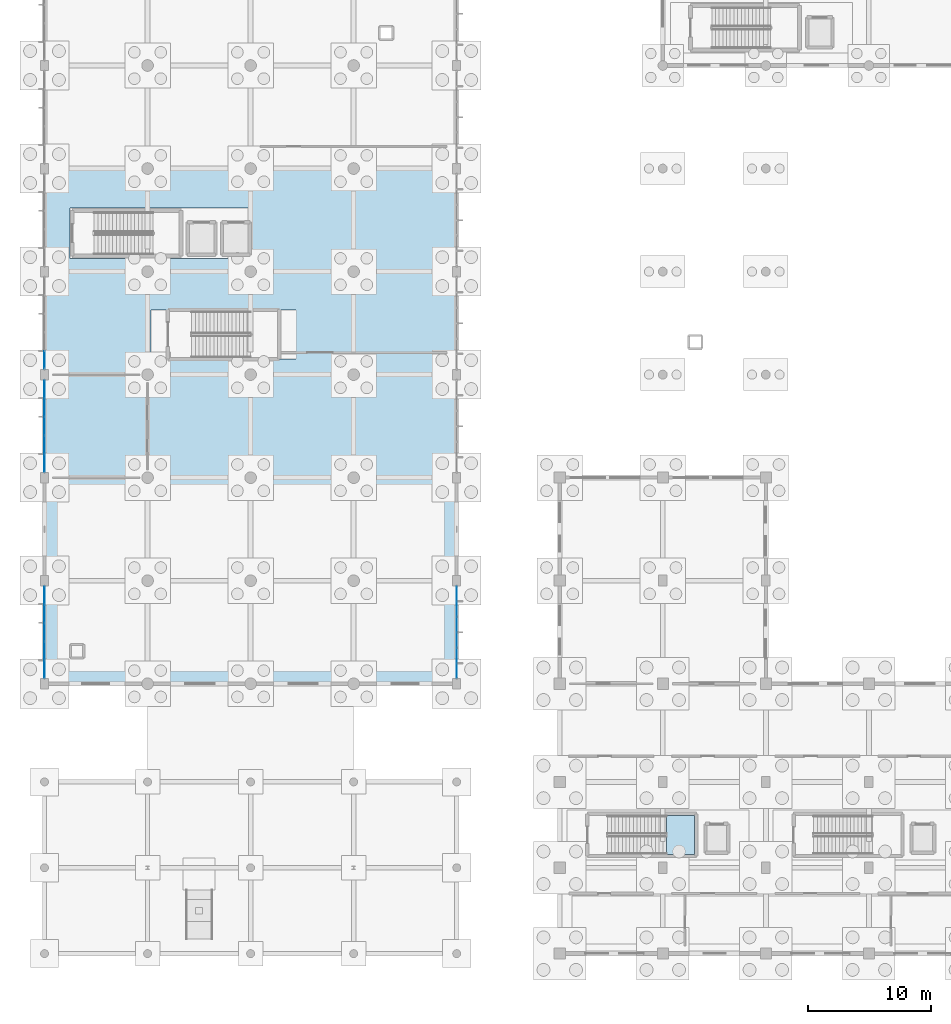
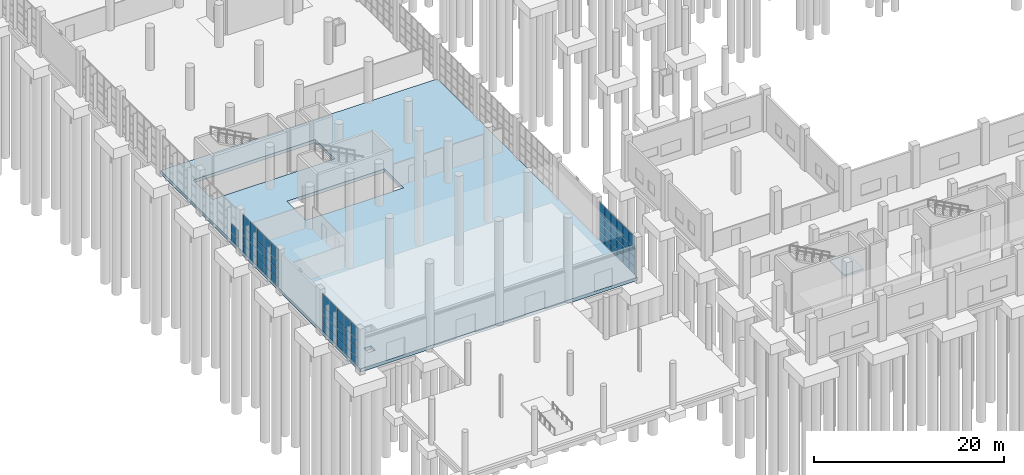
# One storey, part 38 of 83: 66 plates, 2 slabs, 5 elements without a shape of their own.
"""IFC4 building model written with IfcOpenShell, lengths in metres."""

from ifc_helpers import new_model, si_unit, direction, frame, origin, origin_2d, place, context, subcontext, project, spatial, polyline, rectangle, outline, extrude, material, layer, layer_set, type_object, element, aggregate, save


model = new_model("IFC4")

# Units and contexts
model_context = context("Model", 3, precision=1e-05, world=origin(), true_north=direction((0.0, 1.0)))
body_context = subcontext(model_context, "Body", "Model", "MODEL_VIEW")
ifc_project = project(units=[si_unit("LENGTHUNIT", "METRE"), si_unit("AREAUNIT", "SQUARE_METRE"), si_unit("VOLUMEUNIT", "CUBIC_METRE"), si_unit("PLANEANGLEUNIT", "RADIAN"), si_unit("MASSUNIT", "GRAM", prefix="KILO"), si_unit("THERMODYNAMICTEMPERATUREUNIT", "KELVIN"), si_unit("POWERUNIT", "WATT")], contexts=[model_context])

# Site, building, storey
site_placement = place(None, origin())
site = spatial("IfcSite", under=ifc_project, at=site_placement, CompositionType="ELEMENT")
building_placement = place(site_placement, origin())
building = spatial("IfcBuilding", under=site, at=building_placement, Name="Mavoryth Pier Ferry Terminal", CompositionType="ELEMENT")
storey_placement = place(building_placement, origin())
storey = spatial("IfcBuildingStorey", under=building, at=storey_placement, Name="L00", CompositionType="ELEMENT", Elevation=0.0)

# Curtain wall, plates
ifc_material_1 = material(Name="Anodised Aluminium and Solar-Control Low-E Glass", Category="aluminium")
ifc_layer_1 = layer(ifc_material_1, 0.179931640625, Name="Anodised Aluminium and Solar-Control Low-E Glass", Category="aluminium")
ifc_layer_set_1 = layer_set([ifc_layer_1], Name="Anodised Aluminium and Solar-Control Low-E Glass - CW-Concourse-Mod1400")
curtain_wall_type_1 = type_object("IfcCurtainWallType", Name="CW-Concourse-Mod1400", PredefinedType="USERDEFINED", material=ifc_layer_set_1)
curtain_wall_1_placement = place(storey_placement, origin())
curtain_wall_1 = element("IfcCurtainWall", 1, at=curtain_wall_1_placement, inside=storey, type_object=curtain_wall_type_1, Name="Curtain Wall CW-0033-001", ObjectType="UNITISED CURTAIN WALL", PredefinedType="USERDEFINED")
ifc_material_2 = material(Name="Solar-Control Low-E Laminated Double Glazing", Category="glass")
ifc_layer_2 = layer(ifc_material_2, 0.02392578125, Name="Solar-Control Low-E Laminated Double Glazing", Category="glass")
ifc_layer_set_2 = layer_set([ifc_layer_2], Name="Solar-Control Low-E Laminated Double Glazing - Panel-LowE-DGU-24")
plate_type = type_object("IfcPlateType", Name="Panel-LowE-DGU-24", PredefinedType="CURTAIN_PANEL", material=ifc_layer_set_2)
plate_1_placement = place(storey_placement, frame((0.0, 29.203857421875, 0.06494140625), z_axis=(0.0, 0.0, 1.0), x_axis=(0.0, -1.0, 0.0)))
plate_1 = element("IfcPlate", 2, at=plate_1_placement, type_object=plate_type, Name="CW01 panel 1.1", PredefinedType="CURTAIN_PANEL", context=body_context, shape_type="SweptSolid", body=[
    extrude(rectangle(XDim=1.41259765625, YDim=0.02392578125, at=origin_2d()), origin(), (0.0, 0.0, 1.0), 0.952392578125),
])
plate_2_placement = place(storey_placement, frame((0.0, 29.203857421875, 1.08251953125), z_axis=(0.0, 0.0, 1.0), x_axis=(0.0, -1.0, 0.0)))
plate_2 = element("IfcPlate", 3, at=plate_2_placement, type_object=plate_type, Name="CW01 panel 1.2", PredefinedType="CURTAIN_PANEL", context=body_context, shape_type="SweptSolid", body=[
    extrude(rectangle(XDim=1.41259765625, YDim=0.02392578125, at=origin_2d()), origin(), (0.0, 0.0, 1.0), 1.135009765625),
])
plate_3_placement = place(storey_placement, frame((0.0, 29.203857421875, 2.2822265625), z_axis=(0.0, 0.0, 1.0), x_axis=(0.0, -1.0, 0.0)))
plate_3 = element("IfcPlate", 4, at=plate_3_placement, type_object=plate_type, Name="CW01 panel 1.3", PredefinedType="CURTAIN_PANEL", context=body_context, shape_type="SweptSolid", body=[
    extrude(rectangle(XDim=1.41259765625, YDim=0.02392578125, at=origin_2d()), origin(), (0.0, 0.0, 1.0), 0.985107421875),
])
plate_4_placement = place(storey_placement, frame((0.0, 29.203857421875, 3.33251953125), z_axis=(0.0, 0.0, 1.0), x_axis=(0.0, -1.0, 0.0)))
plate_4 = element("IfcPlate", 5, at=plate_4_placement, type_object=plate_type, Name="CW01 panel 1.4", PredefinedType="CURTAIN_PANEL", context=body_context, shape_type="SweptSolid", body=[
    extrude(rectangle(XDim=1.41259765625, YDim=0.02392578125, at=origin_2d()), origin(), (0.0, 0.0, 1.0), 1.54248046875),
])
plate_5_placement = place(storey_placement, frame((0.0, 27.7099609375, 0.06494140625), z_axis=(0.0, 0.0, 1.0), x_axis=(0.0, -1.0, 0.0)))
plate_5 = element("IfcPlate", 6, at=plate_5_placement, type_object=plate_type, Name="CW01 panel 2.1", PredefinedType="CURTAIN_PANEL", context=body_context, shape_type="SweptSolid", body=[
    extrude(rectangle(XDim=1.445068359375, YDim=0.02392578125, at=origin_2d()), origin(), (0.0, 0.0, 1.0), 0.952392578125),
])
plate_6_placement = place(storey_placement, frame((0.0, 27.7099609375, 1.08251953125), z_axis=(0.0, 0.0, 1.0), x_axis=(0.0, -1.0, 0.0)))
plate_6 = element("IfcPlate", 7, at=plate_6_placement, type_object=plate_type, Name="CW01 panel 2.2", PredefinedType="CURTAIN_PANEL", context=body_context, shape_type="SweptSolid", body=[
    extrude(rectangle(XDim=1.445068359375, YDim=0.02392578125, at=origin_2d()), origin(), (0.0, 0.0, 1.0), 1.135009765625),
])
plate_7_placement = place(storey_placement, frame((0.0, 27.7099609375, 2.2822265625), z_axis=(0.0, 0.0, 1.0), x_axis=(0.0, -1.0, 0.0)))
plate_7 = element("IfcPlate", 8, at=plate_7_placement, type_object=plate_type, Name="CW01 panel 2.3", PredefinedType="CURTAIN_PANEL", context=body_context, shape_type="SweptSolid", body=[
    extrude(rectangle(XDim=1.445068359375, YDim=0.02392578125, at=origin_2d()), origin(), (0.0, 0.0, 1.0), 0.985107421875),
])
plate_8_placement = place(storey_placement, frame((0.0, 27.7099609375, 3.33251953125), z_axis=(0.0, 0.0, 1.0), x_axis=(0.0, -1.0, 0.0)))
plate_8 = element("IfcPlate", 9, at=plate_8_placement, type_object=plate_type, Name="CW01 panel 2.4", PredefinedType="CURTAIN_PANEL", context=body_context, shape_type="SweptSolid", body=[
    extrude(rectangle(XDim=1.445068359375, YDim=0.02392578125, at=origin_2d()), origin(), (0.0, 0.0, 1.0), 1.54248046875),
])
plate_9_placement = place(storey_placement, frame((0.0, 26.199951171875, 0.06494140625), z_axis=(0.0, 0.0, 1.0), x_axis=(0.0, -1.0, 0.0)))
plate_9 = element("IfcPlate", 10, at=plate_9_placement, type_object=plate_type, Name="CW01 panel 3.1", PredefinedType="CURTAIN_PANEL", context=body_context, shape_type="SweptSolid", body=[
    extrude(rectangle(XDim=1.445068359375, YDim=0.02392578125, at=origin_2d()), origin(), (0.0, 0.0, 1.0), 0.952392578125),
])
plate_10_placement = place(storey_placement, frame((0.0, 26.199951171875, 1.08251953125), z_axis=(0.0, 0.0, 1.0), x_axis=(0.0, -1.0, 0.0)))
plate_10 = element("IfcPlate", 11, at=plate_10_placement, type_object=plate_type, Name="CW01 panel 3.2", PredefinedType="CURTAIN_PANEL", context=body_context, shape_type="SweptSolid", body=[
    extrude(rectangle(XDim=1.445068359375, YDim=0.02392578125, at=origin_2d()), origin(), (0.0, 0.0, 1.0), 1.135009765625),
])
plate_11_placement = place(storey_placement, frame((0.0, 26.199951171875, 2.2822265625), z_axis=(0.0, 0.0, 1.0), x_axis=(0.0, -1.0, 0.0)))
plate_11 = element("IfcPlate", 12, at=plate_11_placement, type_object=plate_type, Name="CW01 panel 3.3", PredefinedType="CURTAIN_PANEL", context=body_context, shape_type="SweptSolid", body=[
    extrude(rectangle(XDim=1.445068359375, YDim=0.02392578125, at=origin_2d()), origin(), (0.0, 0.0, 1.0), 0.985107421875),
])
plate_12_placement = place(storey_placement, frame((0.0, 26.199951171875, 3.33251953125), z_axis=(0.0, 0.0, 1.0), x_axis=(0.0, -1.0, 0.0)))
plate_12 = element("IfcPlate", 13, at=plate_12_placement, type_object=plate_type, Name="CW01 panel 3.4", PredefinedType="CURTAIN_PANEL", context=body_context, shape_type="SweptSolid", body=[
    extrude(rectangle(XDim=1.445068359375, YDim=0.02392578125, at=origin_2d()), origin(), (0.0, 0.0, 1.0), 1.54248046875),
])
plate_13_placement = place(storey_placement, frame((0.0, 24.68994140625, 0.06494140625), z_axis=(0.0, 0.0, 1.0), x_axis=(0.0, -1.0, 0.0)))
plate_13 = element("IfcPlate", 14, at=plate_13_placement, type_object=plate_type, Name="CW01 panel 4.1", PredefinedType="CURTAIN_PANEL", context=body_context, shape_type="SweptSolid", body=[
    extrude(rectangle(XDim=1.445068359375, YDim=0.02392578125, at=origin_2d()), origin(), (0.0, 0.0, 1.0), 0.952392578125),
])
plate_14_placement = place(storey_placement, frame((0.0, 24.68994140625, 1.08251953125), z_axis=(0.0, 0.0, 1.0), x_axis=(0.0, -1.0, 0.0)))
plate_14 = element("IfcPlate", 15, at=plate_14_placement, type_object=plate_type, Name="CW01 panel 4.2", PredefinedType="CURTAIN_PANEL", context=body_context, shape_type="SweptSolid", body=[
    extrude(rectangle(XDim=1.445068359375, YDim=0.02392578125, at=origin_2d()), origin(), (0.0, 0.0, 1.0), 1.135009765625),
])
plate_15_placement = place(storey_placement, frame((0.0, 24.68994140625, 2.2822265625), z_axis=(0.0, 0.0, 1.0), x_axis=(0.0, -1.0, 0.0)))
plate_15 = element("IfcPlate", 16, at=plate_15_placement, type_object=plate_type, Name="CW01 panel 4.3", PredefinedType="CURTAIN_PANEL", context=body_context, shape_type="SweptSolid", body=[
    extrude(rectangle(XDim=1.445068359375, YDim=0.02392578125, at=origin_2d()), origin(), (0.0, 0.0, 1.0), 0.985107421875),
])
plate_16_placement = place(storey_placement, frame((0.0, 24.68994140625, 3.33251953125), z_axis=(0.0, 0.0, 1.0), x_axis=(0.0, -1.0, 0.0)))
plate_16 = element("IfcPlate", 17, at=plate_16_placement, type_object=plate_type, Name="CW01 panel 4.4", PredefinedType="CURTAIN_PANEL", context=body_context, shape_type="SweptSolid", body=[
    extrude(rectangle(XDim=1.445068359375, YDim=0.02392578125, at=origin_2d()), origin(), (0.0, 0.0, 1.0), 1.54248046875),
])
plate_17_placement = place(storey_placement, frame((0.0, 23.1962890625, 0.06494140625), z_axis=(0.0, 0.0, 1.0), x_axis=(0.0, -1.0, 0.0)))
plate_17 = element("IfcPlate", 18, at=plate_17_placement, type_object=plate_type, Name="CW01 panel 5.1", PredefinedType="CURTAIN_PANEL", context=body_context, shape_type="SweptSolid", body=[
    extrude(rectangle(XDim=1.41259765625, YDim=0.02392578125, at=origin_2d()), origin(), (0.0, 0.0, 1.0), 0.952392578125),
])
plate_18_placement = place(storey_placement, frame((0.0, 23.1962890625, 1.08251953125), z_axis=(0.0, 0.0, 1.0), x_axis=(0.0, -1.0, 0.0)))
plate_18 = element("IfcPlate", 19, at=plate_18_placement, type_object=plate_type, Name="CW01 panel 5.2", PredefinedType="CURTAIN_PANEL", context=body_context, shape_type="SweptSolid", body=[
    extrude(rectangle(XDim=1.41259765625, YDim=0.02392578125, at=origin_2d()), origin(), (0.0, 0.0, 1.0), 1.135009765625),
])
plate_19_placement = place(storey_placement, frame((0.0, 23.1962890625, 2.2822265625), z_axis=(0.0, 0.0, 1.0), x_axis=(0.0, -1.0, 0.0)))
plate_19 = element("IfcPlate", 20, at=plate_19_placement, type_object=plate_type, Name="CW01 panel 5.3", PredefinedType="CURTAIN_PANEL", context=body_context, shape_type="SweptSolid", body=[
    extrude(rectangle(XDim=1.41259765625, YDim=0.02392578125, at=origin_2d()), origin(), (0.0, 0.0, 1.0), 0.985107421875),
])
plate_20_placement = place(storey_placement, frame((0.0, 23.1962890625, 3.33251953125), z_axis=(0.0, 0.0, 1.0), x_axis=(0.0, -1.0, 0.0)))
plate_20 = element("IfcPlate", 21, at=plate_20_placement, type_object=plate_type, Name="CW01 panel 5.4", PredefinedType="CURTAIN_PANEL", context=body_context, shape_type="SweptSolid", body=[
    extrude(rectangle(XDim=1.41259765625, YDim=0.02392578125, at=origin_2d()), origin(), (0.0, 0.0, 1.0), 1.54248046875),
])
aggregate(curtain_wall_1, [plate_1, plate_2, plate_3, plate_4, plate_5, plate_6, plate_7, plate_8, plate_9, plate_10, plate_11, plate_12, plate_13, plate_14, plate_15, plate_16, plate_17, plate_18, plate_19, plate_20])

ifc_layer_3 = layer(ifc_material_1, 0.199951171875, Name="Anodised Aluminium and Solar-Control Low-E Glass", Category="aluminium")
ifc_layer_set_3 = layer_set([ifc_layer_3], Name="Anodised Aluminium and Solar-Control Low-E Glass - CW-Concourse-Mod1200")
curtain_wall_type_2 = type_object("IfcCurtainWallType", Name="CW-Concourse-Mod1200", PredefinedType="USERDEFINED", material=ifc_layer_set_3)
curtain_wall_2_placement = place(storey_placement, origin())
curtain_wall_2 = element("IfcCurtainWall", 22, at=curtain_wall_2_placement, inside=storey, type_object=curtain_wall_type_2, Name="Curtain Wall CW-0022-002", ObjectType="UNITISED CURTAIN WALL", PredefinedType="USERDEFINED")
plate_21_placement = place(storey_placement, frame((33.60009765625, 23.069091796875, 0.06005859375), z_axis=(0.0, 0.0, 1.0), x_axis=(0.0, 1.0, 0.0)))
plate_21 = element("IfcPlate", 23, at=plate_21_placement, type_object=plate_type, Name="CW02 panel 1.1", PredefinedType="CURTAIN_PANEL", context=body_context, shape_type="SweptSolid", body=[
    extrude(rectangle(XDim=1.168212890625, YDim=0.02392578125, at=origin_2d()), origin(), (0.0, 0.0, 1.0), 0.9599609375),
])
plate_22_placement = place(storey_placement, frame((33.60009765625, 23.069091796875, 1.080078125), z_axis=(0.0, 0.0, 1.0), x_axis=(0.0, 1.0, 0.0)))
plate_22 = element("IfcPlate", 24, at=plate_22_placement, type_object=plate_type, Name="CW02 panel 1.2", PredefinedType="CURTAIN_PANEL", context=body_context, shape_type="SweptSolid", body=[
    extrude(rectangle(XDim=1.168212890625, YDim=0.02392578125, at=origin_2d()), origin(), (0.0, 0.0, 1.0), 1.139892578125),
])
plate_23_placement = place(storey_placement, frame((33.60009765625, 23.069091796875, 2.27978515625), z_axis=(0.0, 0.0, 1.0), x_axis=(0.0, 1.0, 0.0)))
plate_23 = element("IfcPlate", 25, at=plate_23_placement, type_object=plate_type, Name="CW02 panel 1.3", PredefinedType="CURTAIN_PANEL", context=body_context, shape_type="SweptSolid", body=[
    extrude(rectangle(XDim=1.168212890625, YDim=0.02392578125, at=origin_2d()), origin(), (0.0, 0.0, 1.0), 0.989990234375),
])
plate_24_placement = place(storey_placement, frame((33.60009765625, 23.069091796875, 3.330078125), z_axis=(0.0, 0.0, 1.0), x_axis=(0.0, 1.0, 0.0)))
plate_24 = element("IfcPlate", 26, at=plate_24_placement, type_object=plate_type, Name="CW02 panel 1.4", PredefinedType="CURTAIN_PANEL", context=body_context, shape_type="SweptSolid", body=[
    extrude(rectangle(XDim=1.168212890625, YDim=0.02392578125, at=origin_2d()), origin(), (0.0, 0.0, 1.0), 1.550048828125),
])
plate_25_placement = place(storey_placement, frame((33.60009765625, 24.3125, 0.06005859375), z_axis=(0.0, 0.0, 1.0), x_axis=(0.0, 1.0, 0.0)))
plate_25 = element("IfcPlate", 27, at=plate_25_placement, type_object=plate_type, Name="CW02 panel 2.1", PredefinedType="CURTAIN_PANEL", context=body_context, shape_type="SweptSolid", body=[
    extrude(rectangle(XDim=1.1982421875, YDim=0.02392578125, at=origin_2d()), origin(), (0.0, 0.0, 1.0), 0.9599609375),
])
plate_26_placement = place(storey_placement, frame((33.60009765625, 24.3125, 1.080078125), z_axis=(0.0, 0.0, 1.0), x_axis=(0.0, 1.0, 0.0)))
plate_26 = element("IfcPlate", 28, at=plate_26_placement, type_object=plate_type, Name="CW02 panel 2.2", PredefinedType="CURTAIN_PANEL", context=body_context, shape_type="SweptSolid", body=[
    extrude(rectangle(XDim=1.1982421875, YDim=0.02392578125, at=origin_2d()), origin(), (0.0, 0.0, 1.0), 1.139892578125),
])
plate_27_placement = place(storey_placement, frame((33.60009765625, 24.3125, 2.27978515625), z_axis=(0.0, 0.0, 1.0), x_axis=(0.0, 1.0, 0.0)))
plate_27 = element("IfcPlate", 29, at=plate_27_placement, type_object=plate_type, Name="CW02 panel 2.3", PredefinedType="CURTAIN_PANEL", context=body_context, shape_type="SweptSolid", body=[
    extrude(rectangle(XDim=1.1982421875, YDim=0.02392578125, at=origin_2d()), origin(), (0.0, 0.0, 1.0), 0.989990234375),
])
plate_28_placement = place(storey_placement, frame((33.60009765625, 24.3125, 3.330078125), z_axis=(0.0, 0.0, 1.0), x_axis=(0.0, 1.0, 0.0)))
plate_28 = element("IfcPlate", 30, at=plate_28_placement, type_object=plate_type, Name="CW02 panel 2.4", PredefinedType="CURTAIN_PANEL", context=body_context, shape_type="SweptSolid", body=[
    extrude(rectangle(XDim=1.1982421875, YDim=0.02392578125, at=origin_2d()), origin(), (0.0, 0.0, 1.0), 1.550048828125),
])
plate_29_placement = place(storey_placement, frame((33.60009765625, 25.57080078125, 0.06005859375), z_axis=(0.0, 0.0, 1.0), x_axis=(0.0, 1.0, 0.0)))
plate_29 = element("IfcPlate", 31, at=plate_29_placement, type_object=plate_type, Name="CW02 panel 3.1", PredefinedType="CURTAIN_PANEL", context=body_context, shape_type="SweptSolid", body=[
    extrude(rectangle(XDim=1.1982421875, YDim=0.02392578125, at=origin_2d()), origin(), (0.0, 0.0, 1.0), 0.9599609375),
])
plate_30_placement = place(storey_placement, frame((33.60009765625, 25.57080078125, 1.080078125), z_axis=(0.0, 0.0, 1.0), x_axis=(0.0, 1.0, 0.0)))
plate_30 = element("IfcPlate", 32, at=plate_30_placement, type_object=plate_type, Name="CW02 panel 3.2", PredefinedType="CURTAIN_PANEL", context=body_context, shape_type="SweptSolid", body=[
    extrude(rectangle(XDim=1.1982421875, YDim=0.02392578125, at=origin_2d()), origin(), (0.0, 0.0, 1.0), 1.139892578125),
])
plate_31_placement = place(storey_placement, frame((33.60009765625, 25.57080078125, 2.27978515625), z_axis=(0.0, 0.0, 1.0), x_axis=(0.0, 1.0, 0.0)))
plate_31 = element("IfcPlate", 33, at=plate_31_placement, type_object=plate_type, Name="CW02 panel 3.3", PredefinedType="CURTAIN_PANEL", context=body_context, shape_type="SweptSolid", body=[
    extrude(rectangle(XDim=1.1982421875, YDim=0.02392578125, at=origin_2d()), origin(), (0.0, 0.0, 1.0), 0.989990234375),
])
plate_32_placement = place(storey_placement, frame((33.60009765625, 25.57080078125, 3.330078125), z_axis=(0.0, 0.0, 1.0), x_axis=(0.0, 1.0, 0.0)))
plate_32 = element("IfcPlate", 34, at=plate_32_placement, type_object=plate_type, Name="CW02 panel 3.4", PredefinedType="CURTAIN_PANEL", context=body_context, shape_type="SweptSolid", body=[
    extrude(rectangle(XDim=1.1982421875, YDim=0.02392578125, at=origin_2d()), origin(), (0.0, 0.0, 1.0), 1.550048828125),
])
plate_33_placement = place(storey_placement, frame((33.60009765625, 26.8291015625, 0.06005859375), z_axis=(0.0, 0.0, 1.0), x_axis=(0.0, 1.0, 0.0)))
plate_33 = element("IfcPlate", 35, at=plate_33_placement, type_object=plate_type, Name="CW02 panel 4.1", PredefinedType="CURTAIN_PANEL", context=body_context, shape_type="SweptSolid", body=[
    extrude(rectangle(XDim=1.1982421875, YDim=0.02392578125, at=origin_2d()), origin(), (0.0, 0.0, 1.0), 0.9599609375),
])
plate_34_placement = place(storey_placement, frame((33.60009765625, 26.8291015625, 1.080078125), z_axis=(0.0, 0.0, 1.0), x_axis=(0.0, 1.0, 0.0)))
plate_34 = element("IfcPlate", 36, at=plate_34_placement, type_object=plate_type, Name="CW02 panel 4.2", PredefinedType="CURTAIN_PANEL", context=body_context, shape_type="SweptSolid", body=[
    extrude(rectangle(XDim=1.1982421875, YDim=0.02392578125, at=origin_2d()), origin(), (0.0, 0.0, 1.0), 1.139892578125),
])
plate_35_placement = place(storey_placement, frame((33.60009765625, 26.8291015625, 2.27978515625), z_axis=(0.0, 0.0, 1.0), x_axis=(0.0, 1.0, 0.0)))
plate_35 = element("IfcPlate", 37, at=plate_35_placement, type_object=plate_type, Name="CW02 panel 4.3", PredefinedType="CURTAIN_PANEL", context=body_context, shape_type="SweptSolid", body=[
    extrude(rectangle(XDim=1.1982421875, YDim=0.02392578125, at=origin_2d()), origin(), (0.0, 0.0, 1.0), 0.989990234375),
])
plate_36_placement = place(storey_placement, frame((33.60009765625, 26.8291015625, 3.330078125), z_axis=(0.0, 0.0, 1.0), x_axis=(0.0, 1.0, 0.0)))
plate_36 = element("IfcPlate", 38, at=plate_36_placement, type_object=plate_type, Name="CW02 panel 4.4", PredefinedType="CURTAIN_PANEL", context=body_context, shape_type="SweptSolid", body=[
    extrude(rectangle(XDim=1.1982421875, YDim=0.02392578125, at=origin_2d()), origin(), (0.0, 0.0, 1.0), 1.550048828125),
])
plate_37_placement = place(storey_placement, frame((33.60009765625, 28.08740234375, 0.06005859375), z_axis=(0.0, 0.0, 1.0), x_axis=(0.0, 1.0, 0.0)))
plate_37 = element("IfcPlate", 39, at=plate_37_placement, type_object=plate_type, Name="CW02 panel 5.1", PredefinedType="CURTAIN_PANEL", context=body_context, shape_type="SweptSolid", body=[
    extrude(rectangle(XDim=1.1982421875, YDim=0.02392578125, at=origin_2d()), origin(), (0.0, 0.0, 1.0), 0.9599609375),
])
plate_38_placement = place(storey_placement, frame((33.60009765625, 28.08740234375, 1.080078125), z_axis=(0.0, 0.0, 1.0), x_axis=(0.0, 1.0, 0.0)))
plate_38 = element("IfcPlate", 40, at=plate_38_placement, type_object=plate_type, Name="CW02 panel 5.2", PredefinedType="CURTAIN_PANEL", context=body_context, shape_type="SweptSolid", body=[
    extrude(rectangle(XDim=1.1982421875, YDim=0.02392578125, at=origin_2d()), origin(), (0.0, 0.0, 1.0), 1.139892578125),
])
plate_39_placement = place(storey_placement, frame((33.60009765625, 28.08740234375, 2.27978515625), z_axis=(0.0, 0.0, 1.0), x_axis=(0.0, 1.0, 0.0)))
plate_39 = element("IfcPlate", 41, at=plate_39_placement, type_object=plate_type, Name="CW02 panel 5.3", PredefinedType="CURTAIN_PANEL", context=body_context, shape_type="SweptSolid", body=[
    extrude(rectangle(XDim=1.1982421875, YDim=0.02392578125, at=origin_2d()), origin(), (0.0, 0.0, 1.0), 0.989990234375),
])
plate_40_placement = place(storey_placement, frame((33.60009765625, 28.08740234375, 3.330078125), z_axis=(0.0, 0.0, 1.0), x_axis=(0.0, 1.0, 0.0)))
plate_40 = element("IfcPlate", 42, at=plate_40_placement, type_object=plate_type, Name="CW02 panel 5.4", PredefinedType="CURTAIN_PANEL", context=body_context, shape_type="SweptSolid", body=[
    extrude(rectangle(XDim=1.1982421875, YDim=0.02392578125, at=origin_2d()), origin(), (0.0, 0.0, 1.0), 1.550048828125),
])
plate_41_placement = place(storey_placement, frame((33.60009765625, 29.330810546875, 0.06005859375), z_axis=(0.0, 0.0, 1.0), x_axis=(0.0, 1.0, 0.0)))
plate_41 = element("IfcPlate", 43, at=plate_41_placement, type_object=plate_type, Name="CW02 panel 6.1", PredefinedType="CURTAIN_PANEL", context=body_context, shape_type="SweptSolid", body=[
    extrude(rectangle(XDim=1.168212890625, YDim=0.02392578125, at=origin_2d()), origin(), (0.0, 0.0, 1.0), 0.9599609375),
])
plate_42_placement = place(storey_placement, frame((33.60009765625, 29.330810546875, 1.080078125), z_axis=(0.0, 0.0, 1.0), x_axis=(0.0, 1.0, 0.0)))
plate_42 = element("IfcPlate", 44, at=plate_42_placement, type_object=plate_type, Name="CW02 panel 6.2", PredefinedType="CURTAIN_PANEL", context=body_context, shape_type="SweptSolid", body=[
    extrude(rectangle(XDim=1.168212890625, YDim=0.02392578125, at=origin_2d()), origin(), (0.0, 0.0, 1.0), 1.139892578125),
])
plate_43_placement = place(storey_placement, frame((33.60009765625, 29.330810546875, 2.27978515625), z_axis=(0.0, 0.0, 1.0), x_axis=(0.0, 1.0, 0.0)))
plate_43 = element("IfcPlate", 45, at=plate_43_placement, type_object=plate_type, Name="CW02 panel 6.3", PredefinedType="CURTAIN_PANEL", context=body_context, shape_type="SweptSolid", body=[
    extrude(rectangle(XDim=1.168212890625, YDim=0.02392578125, at=origin_2d()), origin(), (0.0, 0.0, 1.0), 0.989990234375),
])
plate_44_placement = place(storey_placement, frame((33.60009765625, 29.330810546875, 3.330078125), z_axis=(0.0, 0.0, 1.0), x_axis=(0.0, 1.0, 0.0)))
plate_44 = element("IfcPlate", 46, at=plate_44_placement, type_object=plate_type, Name="CW02 panel 6.4", PredefinedType="CURTAIN_PANEL", context=body_context, shape_type="SweptSolid", body=[
    extrude(rectangle(XDim=1.168212890625, YDim=0.02392578125, at=origin_2d()), origin(), (0.0, 0.0, 1.0), 1.550048828125),
])
aggregate(curtain_wall_2, [plate_21, plate_22, plate_23, plate_24, plate_25, plate_26, plate_27, plate_28, plate_29, plate_30, plate_31, plate_32, plate_33, plate_34, plate_35, plate_36, plate_37, plate_38, plate_39, plate_40, plate_41, plate_42, plate_43, plate_44])

curtain_wall_3_placement = place(storey_placement, origin())
curtain_wall_3 = element("IfcCurtainWall", 47, at=curtain_wall_3_placement, inside=storey, type_object=curtain_wall_type_1, Name="Curtain Wall CW-0033-003", ObjectType="UNITISED CURTAIN WALL", PredefinedType="USERDEFINED")
plate_45_placement = place(storey_placement, frame((0.0, 46.003662109375, 0.06494140625), z_axis=(0.0, 0.0, 1.0), x_axis=(0.0, -1.0, 0.0)))
plate_45 = element("IfcPlate", 48, at=plate_45_placement, type_object=plate_type, Name="CW01 panel 1.1", PredefinedType="CURTAIN_PANEL", context=body_context, shape_type="SweptSolid", body=[
    extrude(rectangle(XDim=1.41259765625, YDim=0.02392578125, at=origin_2d()), origin(), (0.0, 0.0, 1.0), 0.952392578125),
])
plate_46_placement = place(storey_placement, frame((0.0, 46.003662109375, 1.08251953125), z_axis=(0.0, 0.0, 1.0), x_axis=(0.0, -1.0, 0.0)))
plate_46 = element("IfcPlate", 49, at=plate_46_placement, type_object=plate_type, Name="CW01 panel 1.2", PredefinedType="CURTAIN_PANEL", context=body_context, shape_type="SweptSolid", body=[
    extrude(rectangle(XDim=1.41259765625, YDim=0.02392578125, at=origin_2d()), origin(), (0.0, 0.0, 1.0), 1.135009765625),
])
plate_47_placement = place(storey_placement, frame((0.0, 46.003662109375, 2.2822265625), z_axis=(0.0, 0.0, 1.0), x_axis=(0.0, -1.0, 0.0)))
plate_47 = element("IfcPlate", 50, at=plate_47_placement, type_object=plate_type, Name="CW01 panel 1.3", PredefinedType="CURTAIN_PANEL", context=body_context, shape_type="SweptSolid", body=[
    extrude(rectangle(XDim=1.41259765625, YDim=0.02392578125, at=origin_2d()), origin(), (0.0, 0.0, 1.0), 0.985107421875),
])
plate_48_placement = place(storey_placement, frame((0.0, 46.003662109375, 3.33251953125), z_axis=(0.0, 0.0, 1.0), x_axis=(0.0, -1.0, 0.0)))
plate_48 = element("IfcPlate", 51, at=plate_48_placement, type_object=plate_type, Name="CW01 panel 1.4", PredefinedType="CURTAIN_PANEL", context=body_context, shape_type="SweptSolid", body=[
    extrude(rectangle(XDim=1.41259765625, YDim=0.02392578125, at=origin_2d()), origin(), (0.0, 0.0, 1.0), 1.54248046875),
])
plate_49_placement = place(storey_placement, frame((0.0, 44.510009765625, 0.06494140625), z_axis=(0.0, 0.0, 1.0), x_axis=(0.0, -1.0, 0.0)))
plate_49 = element("IfcPlate", 52, at=plate_49_placement, type_object=plate_type, Name="CW01 panel 2.1", PredefinedType="CURTAIN_PANEL", context=body_context, shape_type="SweptSolid", body=[
    extrude(rectangle(XDim=1.445068359375, YDim=0.02392578125, at=origin_2d()), origin(), (0.0, 0.0, 1.0), 0.952392578125),
])
plate_50_placement = place(storey_placement, frame((0.0, 44.510009765625, 1.08251953125), z_axis=(0.0, 0.0, 1.0), x_axis=(0.0, -1.0, 0.0)))
plate_50 = element("IfcPlate", 53, at=plate_50_placement, type_object=plate_type, Name="CW01 panel 2.2", PredefinedType="CURTAIN_PANEL", context=body_context, shape_type="SweptSolid", body=[
    extrude(rectangle(XDim=1.445068359375, YDim=0.02392578125, at=origin_2d()), origin(), (0.0, 0.0, 1.0), 1.135009765625),
])
plate_51_placement = place(storey_placement, frame((0.0, 44.510009765625, 2.2822265625), z_axis=(0.0, 0.0, 1.0), x_axis=(0.0, -1.0, 0.0)))
plate_51 = element("IfcPlate", 54, at=plate_51_placement, type_object=plate_type, Name="CW01 panel 2.3", PredefinedType="CURTAIN_PANEL", context=body_context, shape_type="SweptSolid", body=[
    extrude(rectangle(XDim=1.445068359375, YDim=0.02392578125, at=origin_2d()), origin(), (0.0, 0.0, 1.0), 0.985107421875),
])
plate_52_placement = place(storey_placement, frame((0.0, 44.510009765625, 3.33251953125), z_axis=(0.0, 0.0, 1.0), x_axis=(0.0, -1.0, 0.0)))
plate_52 = element("IfcPlate", 55, at=plate_52_placement, type_object=plate_type, Name="CW01 panel 2.4", PredefinedType="CURTAIN_PANEL", context=body_context, shape_type="SweptSolid", body=[
    extrude(rectangle(XDim=1.445068359375, YDim=0.02392578125, at=origin_2d()), origin(), (0.0, 0.0, 1.0), 1.54248046875),
])
plate_53_placement = place(storey_placement, frame((0.0, 43.0, 0.06494140625), z_axis=(0.0, 0.0, 1.0), x_axis=(0.0, -1.0, 0.0)))
plate_53 = element("IfcPlate", 56, at=plate_53_placement, type_object=plate_type, Name="CW01 panel 3.1", PredefinedType="CURTAIN_PANEL", context=body_context, shape_type="SweptSolid", body=[
    extrude(rectangle(XDim=1.445068359375, YDim=0.02392578125, at=origin_2d()), origin(), (0.0, 0.0, 1.0), 0.952392578125),
])
plate_54_placement = place(storey_placement, frame((0.0, 43.0, 1.08251953125), z_axis=(0.0, 0.0, 1.0), x_axis=(0.0, -1.0, 0.0)))
plate_54 = element("IfcPlate", 57, at=plate_54_placement, type_object=plate_type, Name="CW01 panel 3.2", PredefinedType="CURTAIN_PANEL", context=body_context, shape_type="SweptSolid", body=[
    extrude(rectangle(XDim=1.445068359375, YDim=0.02392578125, at=origin_2d()), origin(), (0.0, 0.0, 1.0), 1.135009765625),
])
plate_55_placement = place(storey_placement, frame((0.0, 43.0, 2.2822265625), z_axis=(0.0, 0.0, 1.0), x_axis=(0.0, -1.0, 0.0)))
plate_55 = element("IfcPlate", 58, at=plate_55_placement, type_object=plate_type, Name="CW01 panel 3.3", PredefinedType="CURTAIN_PANEL", context=body_context, shape_type="SweptSolid", body=[
    extrude(rectangle(XDim=1.445068359375, YDim=0.02392578125, at=origin_2d()), origin(), (0.0, 0.0, 1.0), 0.985107421875),
])
plate_56_placement = place(storey_placement, frame((0.0, 43.0, 3.33251953125), z_axis=(0.0, 0.0, 1.0), x_axis=(0.0, -1.0, 0.0)))
plate_56 = element("IfcPlate", 59, at=plate_56_placement, type_object=plate_type, Name="CW01 panel 3.4", PredefinedType="CURTAIN_PANEL", context=body_context, shape_type="SweptSolid", body=[
    extrude(rectangle(XDim=1.445068359375, YDim=0.02392578125, at=origin_2d()), origin(), (0.0, 0.0, 1.0), 1.54248046875),
])
plate_57_placement = place(storey_placement, frame((0.0, 41.489990234375, 0.06494140625), z_axis=(0.0, 0.0, 1.0), x_axis=(0.0, -1.0, 0.0)))
plate_57 = element("IfcPlate", 60, at=plate_57_placement, type_object=plate_type, Name="CW01 panel 4.1", PredefinedType="CURTAIN_PANEL", context=body_context, shape_type="SweptSolid", body=[
    extrude(rectangle(XDim=1.445068359375, YDim=0.02392578125, at=origin_2d()), origin(), (0.0, 0.0, 1.0), 0.952392578125),
])
plate_58_placement = place(storey_placement, frame((0.0, 41.489990234375, 1.08251953125), z_axis=(0.0, 0.0, 1.0), x_axis=(0.0, -1.0, 0.0)))
plate_58 = element("IfcPlate", 61, at=plate_58_placement, type_object=plate_type, Name="CW01 panel 4.2", PredefinedType="CURTAIN_PANEL", context=body_context, shape_type="SweptSolid", body=[
    extrude(rectangle(XDim=1.445068359375, YDim=0.02392578125, at=origin_2d()), origin(), (0.0, 0.0, 1.0), 1.135009765625),
])
plate_59_placement = place(storey_placement, frame((0.0, 41.489990234375, 2.2822265625), z_axis=(0.0, 0.0, 1.0), x_axis=(0.0, -1.0, 0.0)))
plate_59 = element("IfcPlate", 62, at=plate_59_placement, type_object=plate_type, Name="CW01 panel 4.3", PredefinedType="CURTAIN_PANEL", context=body_context, shape_type="SweptSolid", body=[
    extrude(rectangle(XDim=1.445068359375, YDim=0.02392578125, at=origin_2d()), origin(), (0.0, 0.0, 1.0), 0.985107421875),
])
plate_60_placement = place(storey_placement, frame((0.0, 41.489990234375, 3.33251953125), z_axis=(0.0, 0.0, 1.0), x_axis=(0.0, -1.0, 0.0)))
plate_60 = element("IfcPlate", 63, at=plate_60_placement, type_object=plate_type, Name="CW01 panel 4.4", PredefinedType="CURTAIN_PANEL", context=body_context, shape_type="SweptSolid", body=[
    extrude(rectangle(XDim=1.445068359375, YDim=0.02392578125, at=origin_2d()), origin(), (0.0, 0.0, 1.0), 1.54248046875),
])
plate_61_placement = place(storey_placement, frame((0.0, 39.996337890625, 0.06494140625), z_axis=(0.0, 0.0, 1.0), x_axis=(0.0, -1.0, 0.0)))
plate_61 = element("IfcPlate", 64, at=plate_61_placement, type_object=plate_type, Name="CW01 panel 5.1", PredefinedType="CURTAIN_PANEL", context=body_context, shape_type="SweptSolid", body=[
    extrude(rectangle(XDim=1.41259765625, YDim=0.02392578125, at=origin_2d()), origin(), (0.0, 0.0, 1.0), 0.952392578125),
])
plate_62_placement = place(storey_placement, frame((0.0, 39.996337890625, 1.08251953125), z_axis=(0.0, 0.0, 1.0), x_axis=(0.0, -1.0, 0.0)))
plate_62 = element("IfcPlate", 65, at=plate_62_placement, type_object=plate_type, Name="CW01 panel 5.2", PredefinedType="CURTAIN_PANEL", context=body_context, shape_type="SweptSolid", body=[
    extrude(rectangle(XDim=1.41259765625, YDim=0.02392578125, at=origin_2d()), origin(), (0.0, 0.0, 1.0), 1.135009765625),
])
plate_63_placement = place(storey_placement, frame((0.0, 39.996337890625, 2.2822265625), z_axis=(0.0, 0.0, 1.0), x_axis=(0.0, -1.0, 0.0)))
plate_63 = element("IfcPlate", 66, at=plate_63_placement, type_object=plate_type, Name="CW01 panel 5.3", PredefinedType="CURTAIN_PANEL", context=body_context, shape_type="SweptSolid", body=[
    extrude(rectangle(XDim=1.41259765625, YDim=0.02392578125, at=origin_2d()), origin(), (0.0, 0.0, 1.0), 0.985107421875),
])
plate_64_placement = place(storey_placement, frame((0.0, 39.996337890625, 3.33251953125), z_axis=(0.0, 0.0, 1.0), x_axis=(0.0, -1.0, 0.0)))
plate_64 = element("IfcPlate", 67, at=plate_64_placement, type_object=plate_type, Name="CW01 panel 5.4", PredefinedType="CURTAIN_PANEL", context=body_context, shape_type="SweptSolid", body=[
    extrude(rectangle(XDim=1.41259765625, YDim=0.02392578125, at=origin_2d()), origin(), (0.0, 0.0, 1.0), 1.54248046875),
])
aggregate(curtain_wall_3, [plate_45, plate_46, plate_47, plate_48, plate_49, plate_50, plate_51, plate_52, plate_53, plate_54, plate_55, plate_56, plate_57, plate_58, plate_59, plate_60, plate_61, plate_62, plate_63, plate_64])

curtain_wall_4_placement = place(storey_placement, origin())
curtain_wall_4 = element("IfcCurtainWall", 68, at=curtain_wall_4_placement, inside=storey, type_object=curtain_wall_type_1, Name="Curtain Wall CW-0033-005", ObjectType="UNITISED CURTAIN WALL", PredefinedType="USERDEFINED")
plate_65_placement = place(storey_placement, frame((0.0, 48.396240234375, 0.06494140625), z_axis=(0.0, 0.0, 1.0), x_axis=(0.0, -1.0, 0.0)))
plate_65 = element("IfcPlate", 69, at=plate_65_placement, type_object=plate_type, Name="CW01 panel 5.1", PredefinedType="CURTAIN_PANEL", context=body_context, shape_type="SweptSolid", body=[
    extrude(rectangle(XDim=1.41259765625, YDim=0.02392578125, at=origin_2d()), origin(), (0.0, 0.0, 1.0), 0.952392578125),
])
plate_66_placement = place(storey_placement, frame((0.0, 48.396240234375, 1.08251953125), z_axis=(0.0, 0.0, 1.0), x_axis=(0.0, -1.0, 0.0)))
plate_66 = element("IfcPlate", 70, at=plate_66_placement, type_object=plate_type, Name="CW01 panel 5.2", PredefinedType="CURTAIN_PANEL", context=body_context, shape_type="SweptSolid", body=[
    extrude(rectangle(XDim=1.41259765625, YDim=0.02392578125, at=origin_2d()), origin(), (0.0, 0.0, 1.0), 1.135009765625),
])
aggregate(curtain_wall_4, [plate_65, plate_66])

# Slab
ifc_material_3 = material(Name="Concrete C35/45", Category="concrete")
ifc_layer_4 = layer(ifc_material_3, 0.419921875, Name="Concrete C35/45", Category="concrete")
ifc_layer_set_4 = layer_set([ifc_layer_4], Name="Concrete C35/45 - Slab-Base-Concourse-420")
slab_type_1 = type_object("IfcSlabType", Name="Slab-Base-Concourse-420", PredefinedType="BASESLAB", material=ifc_layer_set_4)
slab_1_placement = place(storey_placement, frame((0.0, 0.0, -0.419921875)))
element("IfcSlab", 71, at=slab_1_placement, inside=storey, type_object=slab_type_1, Name="Slab SLB-V1S-L00", PredefinedType="BASESLAB", context=body_context, shape_type="SweptSolid", body=[
    extrude(outline(polyline([(0.0, 22.0), (33.60009765625, 22.0), (33.60009765625, 64.0), (0.0, 64.0), (0.0, 22.0)]), holes=[polyline([(2.199951171875, 24.199951171875), (3.10009765625, 24.199951171875), (3.10009765625, 25.10009765625), (2.199951171875, 25.10009765625), (2.199951171875, 24.199951171875)]), polyline([(2.080078125, 56.675048828125), (16.919921875, 56.675048828125), (16.919921875, 60.77490234375), (2.080078125, 60.77490234375), (2.080078125, 56.675048828125)]), polyline([(8.679931640625, 48.47509765625), (20.52001953125, 48.47509765625), (20.52001953125, 52.47509765625), (8.679931640625, 52.47509765625), (8.679931640625, 48.47509765625)])]), origin(), (0.0, 0.0, 1.0), 0.419921875),
])

# Stair, slab
stair_type = type_object("IfcStairType", Name="Stair-Core-W1500", PredefinedType="TWO_STRAIGHT_RUN_STAIR", material=ifc_material_3)
stair_placement = place(storey_placement, origin())
stair = element("IfcStair", 72, at=stair_placement, inside=storey, type_object=stair_type, Name="L00 Core C5A Stair", PredefinedType="TWO_STRAIGHT_RUN_STAIR")
ifc_layer_5 = layer(ifc_material_3, 0.199951171875, Name="Concrete C35/45", Category="concrete")
ifc_layer_set_5 = layer_set([ifc_layer_5], Name="Concrete C35/45 - Slab-Landing-RC-200")
slab_type_2 = type_object("IfcSlabType", Name="Slab-Landing-RC-200", PredefinedType="LANDING", material=ifc_layer_set_5)
slab_2_placement = place(storey_placement, frame((0.0, 0.0, 2.52001953125)))
slab_2 = element("IfcSlab", 73, at=slab_2_placement, type_object=slab_type_2, Name="ST11 landing 1", PredefinedType="LANDING", context=body_context, shape_type="SweptSolid", body=[
    extrude(outline(polyline([(50.699951171875, 8.10009765625), (53.0, 8.10009765625), (53.0, 11.25), (50.699951171875, 11.25), (50.699951171875, 8.10009765625)])), origin(), (0.0, 0.0, 1.0), 0.199951171875),
])
aggregate(stair, [slab_2])

save(model, "model.ifc")
